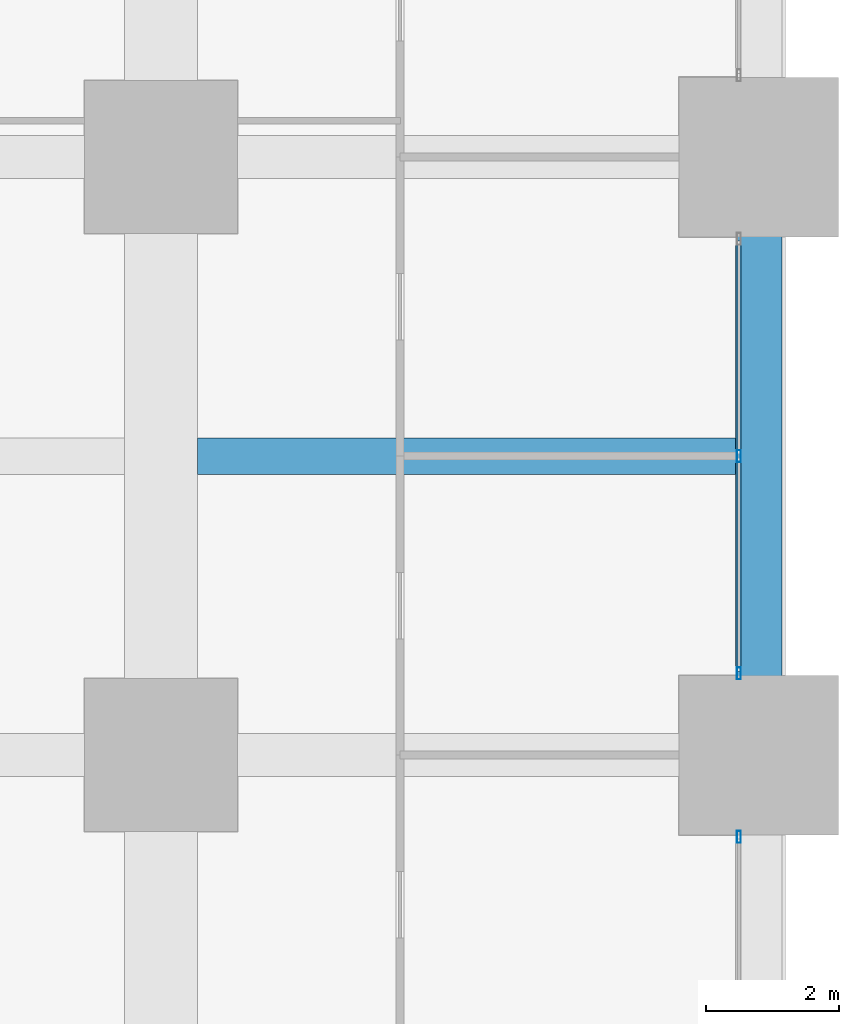
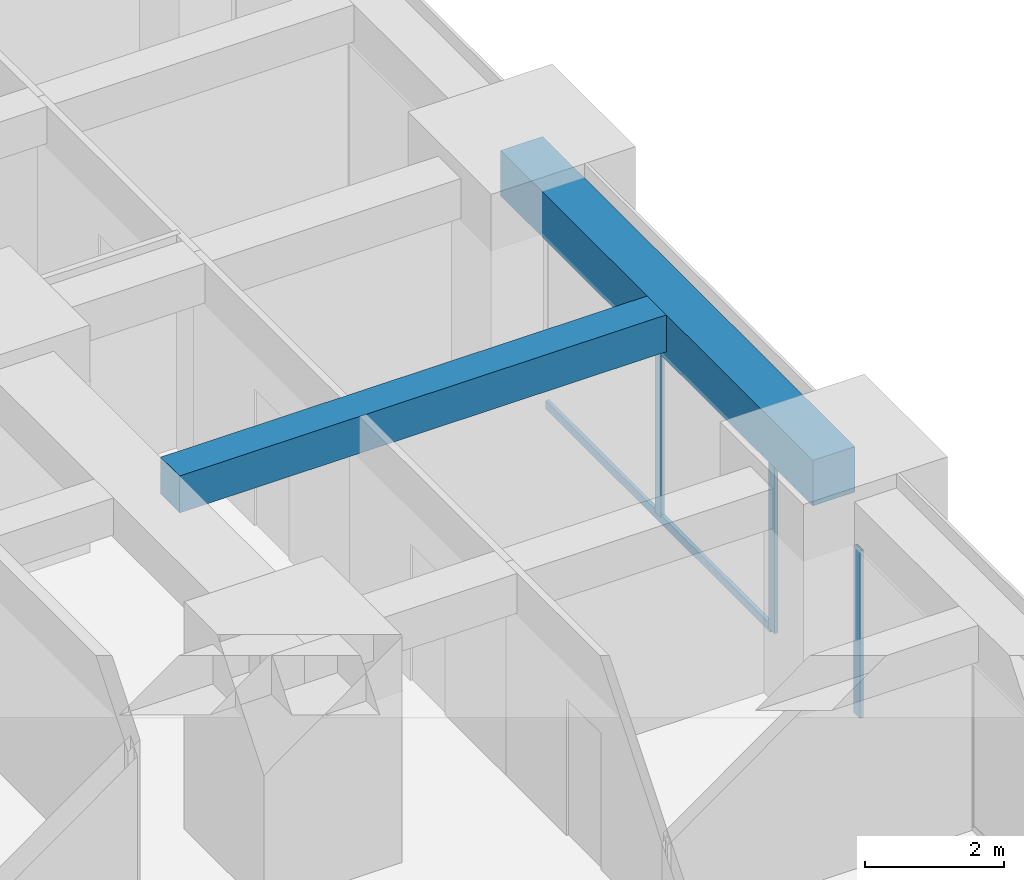
# One storey, part 22 of 45: 4 members, 2 beams, 2 elements without a shape of their own.
"""IFC4 building model written with IfcOpenShell, lengths in metres."""

from ifc_helpers import new_model, si_unit, direction, frame, origin, origin_2d, place, context, subcontext, project, spatial, rectangle, hollow_rectangle, extrude, material, material_profile, profile_set, type_object, element, aggregate, save


model = new_model("IFC4")

# Units and contexts
model_context = context("Model", 3, precision=1e-05, world=origin(), true_north=direction((0.0, 1.0)))
body_context = subcontext(model_context, "Body", "Model", "MODEL_VIEW")
ifc_project = project(units=[si_unit("LENGTHUNIT", "METRE"), si_unit("AREAUNIT", "SQUARE_METRE"), si_unit("VOLUMEUNIT", "CUBIC_METRE"), si_unit("PLANEANGLEUNIT", "RADIAN"), si_unit("MASSUNIT", "GRAM", prefix="KILO")], contexts=[model_context])

# Site, building, storey
site_placement = place(None, origin())
site = spatial("IfcSite", under=ifc_project, at=site_placement, CompositionType="ELEMENT")
building_placement = place(site_placement, origin())
building = spatial("IfcBuilding", under=site, at=building_placement, Name="Zorevar Civic Tower", CompositionType="ELEMENT")
storey_placement = place(building_placement, frame((0.0, 0.0, 23.800048828125)))
storey = spatial("IfcBuildingStorey", under=building, at=storey_placement, Name="L05", CompositionType="ELEMENT", Elevation=23.800048828125)

# Beam
ifc_material_1 = material(Name="Concrete C50/60", Category="concrete")
ifc_material_profile_1 = material_profile(ifc_material_1, rectangle(XDim=0.550048828125, YDim=0.64990234375, at=origin_2d()), Name="RC 550x650")
ifc_profile_set_1 = profile_set([ifc_material_profile_1], Name="Concrete C50/60")
beam_type_1 = type_object("IfcBeamType", Name="Beam RC 550x650", PredefinedType="BEAM", material=ifc_profile_set_1)
beam_1_placement = place(storey_placement, frame((54.550048828125, 31.5, 3.425048828125), z_axis=(1.0, 0.0, 0.0), x_axis=(0.0, 1.0, 0.0)))
element("IfcBeam", 1, at=beam_1_placement, inside=storey, type_object=beam_type_1, Name="Secondary beam L06", PredefinedType="BEAM", context=body_context, shape_type="SweptSolid", body=[
    extrude(rectangle(XDim=0.550048828125, YDim=0.64990234375, at=origin_2d()), origin(), (0.0, 0.0, 1.0), 8.099853515625),
])

# Curtain wall, member
ifc_material_2 = material(Name="Dark grey solar-control glass in black aluminium frame", Category="aluminium")
curtain_wall_type = type_object("IfcCurtainWallType", Name="Curtain wall CW2 low zone", PredefinedType="NOTDEFINED", material=ifc_material_2)
curtain_wall_1_placement = place(storey_placement, origin())
curtain_wall_1 = element("IfcCurtainWall", 2, at=curtain_wall_1_placement, inside=storey, type_object=curtain_wall_type, Name="CW2 L05", PredefinedType="NOTDEFINED")
ifc_material_3 = material(Name="Aluminium, black anodised", Category="aluminium")
ifc_material_profile_2 = material_profile(ifc_material_3, hollow_rectangle(XDim=0.06005859375, YDim=0.179931640625, WallThickness=0.00390625, at=origin_2d()), Name="AL 180x60x4")
ifc_profile_set_2 = profile_set([ifc_material_profile_2], Name="Aluminium, black anodised")
member_type_1 = type_object("IfcMemberType", Name="CW2 mullion AL 180x60x4", PredefinedType="MULLION", material=ifc_profile_set_2)
member_1_placement = place(storey_placement, frame((62.699951171875, 25.77001953125, 0.0), z_axis=(0.0, 0.0, 1.0), x_axis=(-1.0, 0.0, 0.0)))
member_1 = element("IfcMember", 3, at=member_1_placement, type_object=member_type_1, Name="CW2 mullion 3", PredefinedType="MULLION", context=body_context, shape_type="SweptSolid", body=[
    extrude(hollow_rectangle(XDim=0.06005859375, YDim=0.179931640625, WallThickness=0.00390625, at=origin_2d()), origin(), (0.0, 0.0, 1.0), 2.949951171875),
])
aggregate(curtain_wall_1, [member_1])

# Curtain wall, members
curtain_wall_2_placement = place(storey_placement, origin())
curtain_wall_2 = element("IfcCurtainWall", 4, at=curtain_wall_2_placement, inside=storey, type_object=curtain_wall_type, Name="CW2 L05", PredefinedType="NOTDEFINED")
member_2_placement = place(storey_placement, frame((62.699951171875, 28.22998046875, 0.0), z_axis=(0.0, 0.0, 1.0), x_axis=(-1.0, 0.0, 0.0)))
member_2 = element("IfcMember", 5, at=member_2_placement, type_object=member_type_1, Name="CW2 mullion 1", PredefinedType="MULLION", context=body_context, shape_type="SweptSolid", body=[
    extrude(hollow_rectangle(XDim=0.06005859375, YDim=0.179931640625, WallThickness=0.00390625, at=origin_2d()), origin(), (0.0, 0.0, 1.0), 2.949951171875),
])
member_3_placement = place(storey_placement, frame((62.699951171875, 31.5, 0.06005859375), z_axis=(0.0, 0.0, 1.0), x_axis=(-1.0, 0.0, 0.0)))
member_3 = element("IfcMember", 6, at=member_3_placement, type_object=member_type_1, Name="CW2 mullion 2", PredefinedType="MULLION", context=body_context, shape_type="SweptSolid", body=[
    extrude(hollow_rectangle(XDim=0.06005859375, YDim=0.179931640625, WallThickness=0.00390625, at=origin_2d()), origin(), (0.0, 0.0, 1.0), 2.889892578125),
])
ifc_material_4 = material(Name="Aluminium, black anodised", Category="aluminium")
ifc_material_profile_3 = material_profile(ifc_material_4, hollow_rectangle(XDim=0.06005859375, YDim=0.14990234375, WallThickness=0.00390625, at=origin_2d()), Name="AL 150x60x4")
ifc_profile_set_3 = profile_set([ifc_material_profile_3], Name="Aluminium, black anodised")
member_type_2 = type_object("IfcMemberType", Name="CW2 transom AL 150x60x4", PredefinedType="USERDEFINED", material=ifc_profile_set_3)
member_4_placement = place(storey_placement, frame((62.699951171875, 28.260009765625, 0.030029296875), z_axis=(0.0, 1.0, 0.0), x_axis=(-1.0, 0.0, 0.0)))
member_4 = element("IfcMember", 7, at=member_4_placement, type_object=member_type_2, Name="CW2 sill transom", ObjectType="TRANSOM", PredefinedType="USERDEFINED", context=body_context, shape_type="SweptSolid", body=[
    extrude(hollow_rectangle(XDim=0.06005859375, YDim=0.14990234375, WallThickness=0.00390625, at=origin_2d()), origin(), (0.0, 0.0, 1.0), 6.47998046875),
])
aggregate(curtain_wall_2, [member_2, member_3, member_4])

# Beam
ifc_material_5 = material(Name="Concrete C50/60", Category="concrete")
ifc_material_profile_4 = material_profile(ifc_material_5, rectangle(XDim=0.699951171875, YDim=0.800048828125, at=origin_2d()), Name="RC 700x800")
ifc_profile_set_4 = profile_set([ifc_material_profile_4], Name="Concrete C50/60")
beam_type_2 = type_object("IfcBeamType", Name="Edge beam RC 700x800", PredefinedType="SPANDREL", material=ifc_profile_set_4)
beam_2_placement = place(storey_placement, frame((63.0, 27.0, 3.349853515625), z_axis=(0.0, 1.0, 0.0), x_axis=(-1.0, 0.0, 0.0)))
element("IfcBeam", 8, at=beam_2_placement, inside=storey, type_object=beam_type_2, Name="Edge beam L06", PredefinedType="SPANDREL", context=body_context, shape_type="SweptSolid", body=[
    extrude(rectangle(XDim=0.699951171875, YDim=0.800048828125, at=origin_2d()), origin(), (0.0, 0.0, 1.0), 9.0),
])

save(model, "model.ifc")
